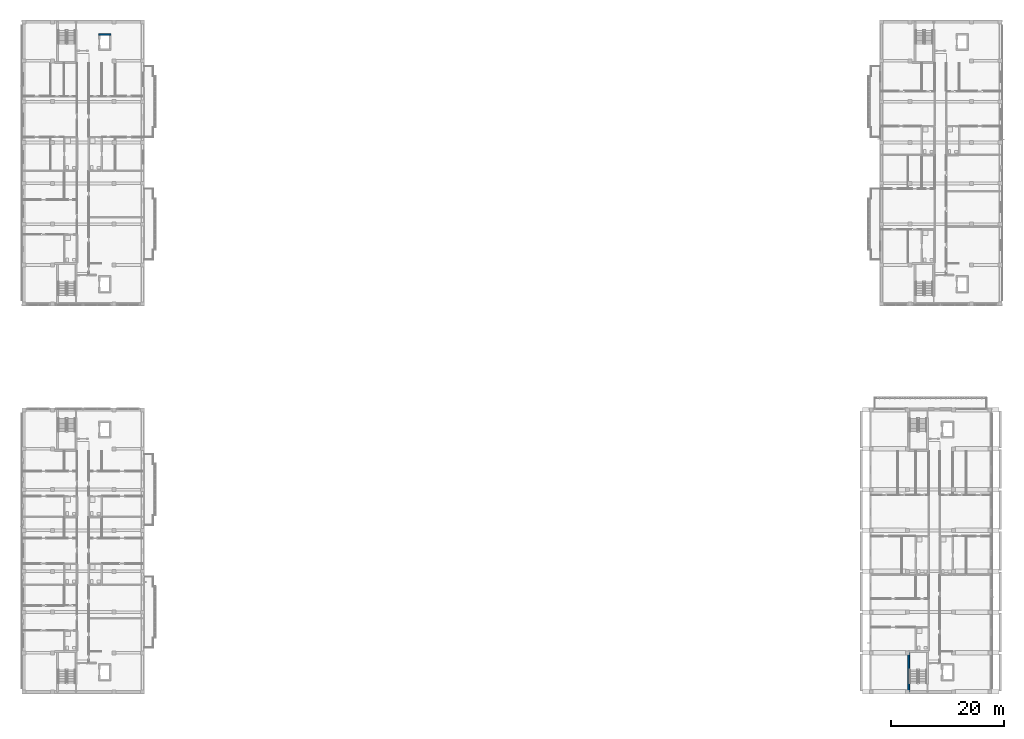
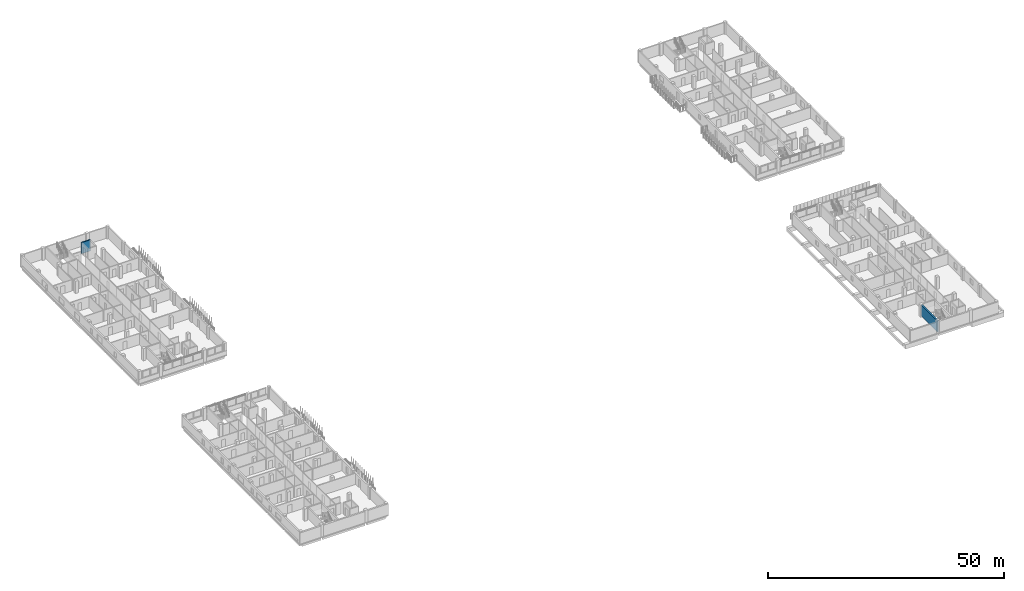
# One storey, part 30 of 51: 2 walls.
"""IFC4 building model written with IfcOpenShell, lengths in metres."""

from ifc_helpers import new_model, si_unit, derived_unit, direction, frame, frame_2d, origin, place, context, subcontext, project, spatial, rectangle, extrude, material, layer, layer_set, type_object, element, save


model = new_model("IFC4")

# Units and contexts
model_context = context("Model", 3, precision=1e-05, world=origin(), true_north=direction((0.0, 1.0)))
body_context = subcontext(model_context, "Body", "Model", "MODEL_VIEW")
ifc_project = project(units=[si_unit("LENGTHUNIT", "METRE"), si_unit("AREAUNIT", "SQUARE_METRE"), si_unit("VOLUMEUNIT", "CUBIC_METRE"), si_unit("PLANEANGLEUNIT", "RADIAN"), si_unit("MASSUNIT", "GRAM", prefix="KILO"), derived_unit("THERMALTRANSMITTANCEUNIT", [(si_unit("MASSUNIT", "GRAM", prefix="KILO"), 1), (si_unit("TIMEUNIT", "SECOND"), -3), (si_unit("THERMODYNAMICTEMPERATUREUNIT", "KELVIN"), -1)])], contexts=[model_context])

# Site, building, storey
site_placement = place(None, origin())
site = spatial("IfcSite", under=ifc_project, at=site_placement, CompositionType="ELEMENT")
building_placement = place(site_placement, origin())
building = spatial("IfcBuilding", under=site, at=building_placement, Name="Ochrekiln Boulevard Commons", CompositionType="ELEMENT")
storey_placement = place(building_placement, frame((0.0, 0.0, 18.375)))
storey = spatial("IfcBuildingStorey", under=building, at=storey_placement, Name="L05", CompositionType="ELEMENT", Elevation=18.375)

# Walls
ifc_material = material(Name="Concrete C40/50", Category="concrete")
ifc_layer_1 = layer(ifc_material, 0.27490234375)
ifc_layer_set_1 = layer_set([ifc_layer_1], Name="Concrete C40/50")
wall_type_1 = type_object("IfcWallType", Name="WL-SH-275", PredefinedType="SHEAR", material=ifc_layer_set_1)
wall_1_placement = place(storey_placement, frame((13.52490234375, 116.237548828125, 0.0), z_axis=(0.0, 0.0, 1.0), x_axis=(1.0, 0.0, 0.0)))
element("IfcWall", 1, at=wall_1_placement, inside=storey, type_object=wall_type_1, Name="Elevator FF-A2 L05 Hoistway Shear Wall", PredefinedType="SHEAR", context=body_context, shape_type="SweptSolid", body=[
    extrude(rectangle(XDim=2.150146484375, YDim=0.27490234375, at=frame_2d((1.0751953125, 0.0))), origin(), (0.0, 0.0, 1.0), 2.889892578125),
])
ifc_layer_2 = layer(ifc_material, 0.300048828125)
ifc_layer_set_2 = layer_set([ifc_layer_2], Name="Concrete C40/50")
wall_type_2 = type_object("IfcWallType", Name="WL-SH-300", PredefinedType="SHEAR", material=ifc_layer_set_2)
wall_2_placement = place(storey_placement, frame((156.35009765625, 0.320068359375, 0.0), z_axis=(0.0, 0.0, 1.0), x_axis=(0.0, 1.0, 0.0)))
element("IfcWall", 2, at=wall_2_placement, inside=storey, type_object=wall_type_2, Name="Stair ST-C1 L05 Core Shear Wall W", PredefinedType="SHEAR", context=body_context, shape_type="SweptSolid", body=[
    extrude(rectangle(XDim=7.0, YDim=0.300048828125, at=frame_2d((3.5, 0.0))), origin(), (0.0, 0.0, 1.0), 2.889892578125),
])

save(model, "model.ifc")
